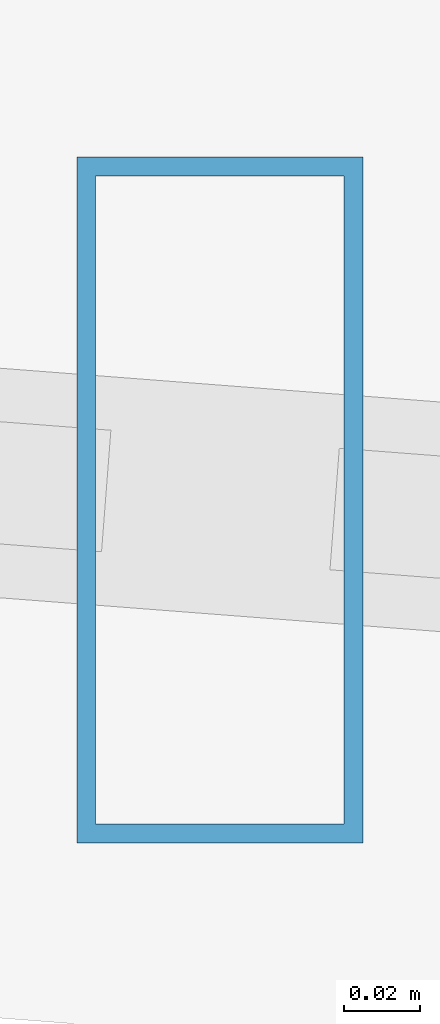
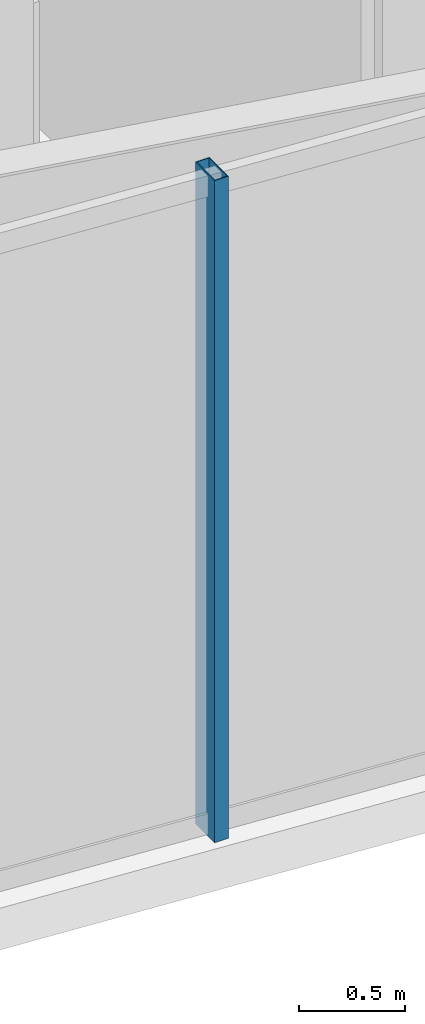
# One storey, part 2 of 28: 1 member, 1 element without a shape of its own.
"""IFC4 building model written with IfcOpenShell, lengths in metres."""

from ifc_helpers import new_model, si_unit, direction, frame, origin, origin_2d, place, context, subcontext, project, spatial, hollow_rectangle, extrude, material, layer, layer_set, material_profile, profile_set, type_object, element, aggregate, save


model = new_model("IFC4")

# Units and contexts
model_context = context("Model", 3, precision=1e-05, world=origin(), true_north=direction((0.0, 1.0)))
body_context = subcontext(model_context, "Body", "Model", "MODEL_VIEW")
ifc_project = project(units=[si_unit("LENGTHUNIT", "METRE"), si_unit("AREAUNIT", "SQUARE_METRE"), si_unit("VOLUMEUNIT", "CUBIC_METRE"), si_unit("PLANEANGLEUNIT", "RADIAN"), si_unit("MASSUNIT", "GRAM", prefix="KILO")], contexts=[model_context])

# Site, building, storey
site_placement = place(None, origin())
site = spatial("IfcSite", under=ifc_project, at=site_placement, CompositionType="ELEMENT")
building_placement = place(site_placement, origin())
building = spatial("IfcBuilding", under=site, at=building_placement, Name="Veymaron Broadcast Tower", CompositionType="ELEMENT")
storey_placement = place(building_placement, frame((0.0, 0.0, 45.89990234375)))
storey = spatial("IfcBuildingStorey", under=building, at=storey_placement, Name="L09", CompositionType="ELEMENT", Elevation=45.89990234375)

# Curtain wall, member
ifc_material_1 = material(Name="Anodised aluminium AA 6063-T6 and laminated low-E dark glass", Category="aluminium")
ifc_layer = layer(ifc_material_1, 0.179931640625)
ifc_layer_set = layer_set([ifc_layer], Name="Anodised aluminium AA 6063-T6 and laminated low-E dark glass")
curtain_wall_type = type_object("IfcCurtainWallType", Name="CW-SYS-02", PredefinedType="NOTDEFINED", material=ifc_layer_set)
curtain_wall_placement = place(storey_placement, origin())
curtain_wall = element("IfcCurtainWall", 1, at=curtain_wall_placement, inside=storey, type_object=curtain_wall_type, Name="L09 dark-glass curtain wall CW-L09-E14-1", PredefinedType="NOTDEFINED")
ifc_material_2 = material(Name="Anodised aluminium AA 6063-T6", Category="aluminium")
ifc_material_profile = material_profile(ifc_material_2, hollow_rectangle(XDim=0.074951171875, YDim=0.179931640625, WallThickness=0.0048828125, at=origin_2d()), Name="AL180X75X5")
ifc_profile_set = profile_set([ifc_material_profile], Name="Anodised aluminium AA 6063-T6")
member_type = type_object("IfcMemberType", Name="CW-MUL-02", PredefinedType="MULLION", material=ifc_profile_set)
member_placement = place(storey_placement, frame((19.142578125, 18.072998046875, 0.0), z_axis=(0.0, 0.0, 1.0), x_axis=(1.0, 0.0, 0.0)))
member = element("IfcMember", 2, at=member_placement, type_object=member_type, Name="CW-L09-E14-1 mullion 2", PredefinedType="MULLION", context=body_context, shape_type="SweptSolid", body=[
    extrude(hollow_rectangle(XDim=0.074951171875, YDim=0.179931640625, WallThickness=0.0048828125, at=origin_2d()), origin(), (0.0, 0.0, 1.0), 3.81005859375),
])
aggregate(curtain_wall, [member])

save(model, "model.ifc")
